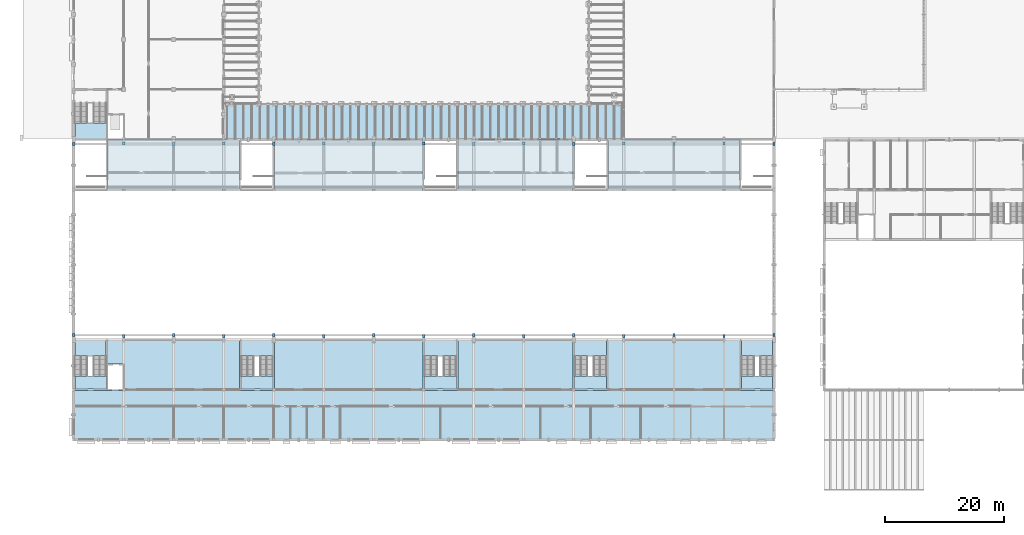
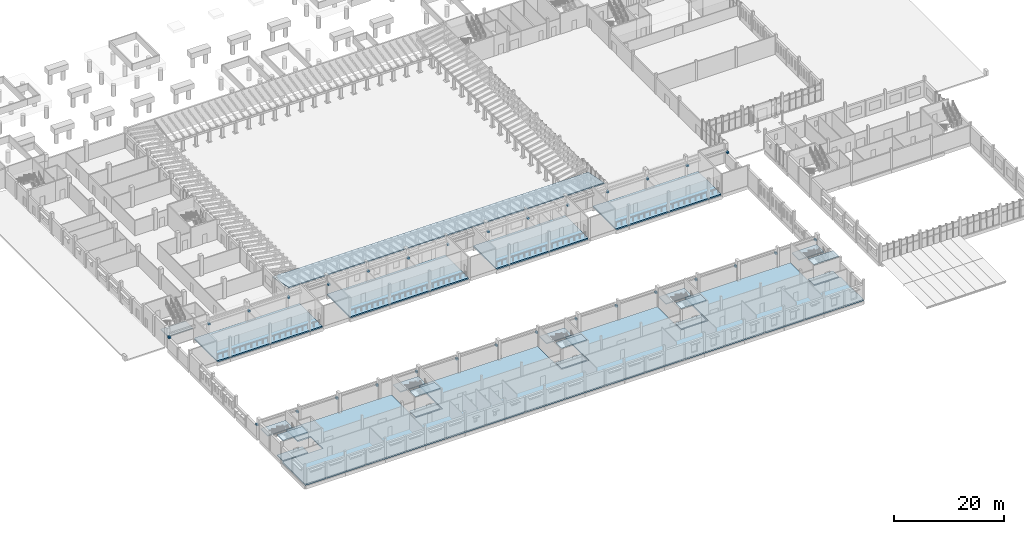
# One storey, part 26 of 60: 30 beams, 22 slabs, 6 elements without a shape of their own.
"""IFC4 building model written with IfcOpenShell, lengths in metres."""

from ifc_helpers import new_model, si_unit, direction, frame, origin, origin_2d, place, context, subcontext, project, spatial, polyline, rectangle, outline, extrude, material, layer, layer_set, material_profile, profile_set, type_object, element, aggregate, save


model = new_model("IFC4")

# Units and contexts
model_context = context("Model", 3, precision=1e-05, world=origin(), true_north=direction((0.0, 1.0)))
body_context = subcontext(model_context, "Body", "Model", "MODEL_VIEW")
ifc_project = project(units=[si_unit("LENGTHUNIT", "METRE"), si_unit("AREAUNIT", "SQUARE_METRE"), si_unit("VOLUMEUNIT", "CUBIC_METRE"), si_unit("PLANEANGLEUNIT", "RADIAN"), si_unit("MASSUNIT", "GRAM", prefix="KILO")], contexts=[model_context])

# Site, building, storey
site_placement = place(None, origin())
site = spatial("IfcSite", under=ifc_project, at=site_placement, CompositionType="ELEMENT")
building_placement = place(site_placement, origin())
building = spatial("IfcBuilding", under=site, at=building_placement, Name="Fescue Hill Polytechnic", CompositionType="ELEMENT")
storey_placement = place(building_placement, frame((0.0, 0.0, 4.5)))
storey = spatial("IfcBuildingStorey", under=building, at=storey_placement, Name="L01", CompositionType="ELEMENT", Elevation=4.5)

# Beams
ifc_material_1 = material(Name="Concrete 40 MPa", Category="concrete")
ifc_material_profile = material_profile(ifc_material_1, rectangle(XDim=0.39990234375, YDim=0.39990234375, at=origin_2d()), Name="Crane girder corbel 400x400")
ifc_profile_set = profile_set([ifc_material_profile], Name="Concrete 40 MPa")
beam_type = type_object("IfcBeamType", Name="Crane girder corbel 400x400", PredefinedType="USERDEFINED", material=ifc_profile_set)
for number, where, z_axis, x_axis, name in (
    (1, (0.0, 17.300048828125, 2.68896484375), (0.0, 1.0, 0.0), (-1.0, 0.0, 0.0), "Crane girder corbel S1"),
    (2, (8.39990234375, 17.199951171875, 2.68896484375), (0.0, 1.0, 0.0), (-1.0, 0.0, 0.0), "Crane girder corbel S2"),
    (3, (16.800048828125, 17.300048828125, 2.68896484375), (0.0, 1.0, 0.0), (-1.0, 0.0, 0.0), "Crane girder corbel S3"),
    (4, (25.199951171875, 17.199951171875, 2.68896484375), (0.0, 1.0, 0.0), (-1.0, 0.0, 0.0), "Crane girder corbel S4"),
    (5, (33.60009765625, 17.300048828125, 2.68896484375), (0.0, 1.0, 0.0), (-1.0, 0.0, 0.0), "Crane girder corbel S5"),
    (6, (42.0, 17.199951171875, 2.68896484375), (0.0, 1.0, 0.0), (-1.0, 0.0, 0.0), "Crane girder corbel S6"),
    (7, (50.39990234375, 17.300048828125, 2.68896484375), (0.0, 1.0, 0.0), (-1.0, 0.0, 0.0), "Crane girder corbel S7"),
    (8, (58.800048828125, 17.199951171875, 2.68896484375), (0.0, 1.0, 0.0), (-1.0, 0.0, 0.0), "Crane girder corbel S8"),
    (9, (67.199951171875, 17.300048828125, 2.68896484375), (0.0, 1.0, 0.0), (-1.0, 0.0, 0.0), "Crane girder corbel S9"),
    (10, (75.60009765625, 17.199951171875, 2.68896484375), (0.0, 1.0, 0.0), (-1.0, 0.0, 0.0), "Crane girder corbel S10"),
    (11, (84.0, 17.300048828125, 2.68896484375), (0.0, 1.0, 0.0), (-1.0, 0.0, 0.0), "Crane girder corbel S11"),
    (12, (92.39990234375, 17.199951171875, 2.68896484375), (0.0, 1.0, 0.0), (-1.0, 0.0, 0.0), "Crane girder corbel S12"),
    (13, (100.800048828125, 17.300048828125, 2.68896484375), (0.0, 1.0, 0.0), (-1.0, 0.0, 0.0), "Crane girder corbel S13"),
    (14, (109.199951171875, 17.199951171875, 2.68896484375), (0.0, 1.0, 0.0), (-1.0, 0.0, 0.0), "Crane girder corbel S14"),
    (15, (117.60009765625, 17.300048828125, 2.68896484375), (0.0, 1.0, 0.0), (-1.0, 0.0, 0.0), "Crane girder corbel S15"),
    (16, (0.0, 49.89990234375, 2.68896484375), (0.0, -1.0, 0.0), (1.0, 0.0, 0.0), "Crane girder corbel N1"),
    (17, (8.39990234375, 50.0, 2.68896484375), (0.0, -1.0, 0.0), (1.0, 0.0, 0.0), "Crane girder corbel N2"),
    (18, (16.800048828125, 49.89990234375, 2.68896484375), (0.0, -1.0, 0.0), (1.0, 0.0, 0.0), "Crane girder corbel N3"),
    (19, (25.199951171875, 50.0, 2.68896484375), (0.0, -1.0, 0.0), (1.0, 0.0, 0.0), "Crane girder corbel N4"),
    (20, (33.60009765625, 49.89990234375, 2.68896484375), (0.0, -1.0, 0.0), (1.0, 0.0, 0.0), "Crane girder corbel N5"),
    (21, (42.0, 50.0, 2.68896484375), (0.0, -1.0, 0.0), (1.0, 0.0, 0.0), "Crane girder corbel N6"),
    (22, (50.39990234375, 49.89990234375, 2.68896484375), (0.0, -1.0, 0.0), (1.0, 0.0, 0.0), "Crane girder corbel N7"),
    (23, (58.800048828125, 50.0, 2.68896484375), (0.0, -1.0, 0.0), (1.0, 0.0, 0.0), "Crane girder corbel N8"),
    (24, (67.199951171875, 49.89990234375, 2.68896484375), (0.0, -1.0, 0.0), (1.0, 0.0, 0.0), "Crane girder corbel N9"),
    (25, (75.60009765625, 50.0, 2.68896484375), (0.0, -1.0, 0.0), (1.0, 0.0, 0.0), "Crane girder corbel N10"),
    (26, (84.0, 49.89990234375, 2.68896484375), (0.0, -1.0, 0.0), (1.0, 0.0, 0.0), "Crane girder corbel N11"),
    (27, (92.39990234375, 50.0, 2.68896484375), (0.0, -1.0, 0.0), (1.0, 0.0, 0.0), "Crane girder corbel N12"),
    (28, (100.800048828125, 49.89990234375, 2.68896484375), (0.0, -1.0, 0.0), (1.0, 0.0, 0.0), "Crane girder corbel N13"),
    (29, (109.199951171875, 50.0, 2.68896484375), (0.0, -1.0, 0.0), (1.0, 0.0, 0.0), "Crane girder corbel N14"),
    (30, (117.60009765625, 49.89990234375, 2.68896484375), (0.0, -1.0, 0.0), (1.0, 0.0, 0.0), "Crane girder corbel N15"),
):
    element("IfcBeam", number, at=place(storey_placement, frame(where, z_axis=z_axis, x_axis=x_axis)), inside=storey, type_object=beam_type, Name=name, ObjectType="Corbel", PredefinedType="USERDEFINED", context=body_context, shape_type="SweptSolid", body=[
        extrude(rectangle(XDim=0.39990234375, YDim=0.39990234375, at=origin_2d()), origin(), (0.0, 0.0, 1.0), 0.5),
    ])

# Slabs
ifc_material_2 = material(Name="Concrete 35 MPa", Category="concrete")
ifc_layer_1 = layer(ifc_material_2, 0.300048828125)
ifc_layer_set_1 = layer_set([ifc_layer_1], Name="Concrete 35 MPa")
slab_type_1 = type_object("IfcSlabType", Name="Floor slab 300", PredefinedType="FLOOR", material=ifc_layer_set_1)
slab_1_placement = place(storey_placement, frame((0.0, 0.0, -0.300048828125)))
element("IfcSlab", 31, at=slab_1_placement, inside=storey, type_object=slab_type_1, Name="SL-L01-V1-1", PredefinedType="FLOOR", context=body_context, shape_type="SweptSolid", body=[
    extrude(outline(polyline([(27.875, 16.800048828125), (27.875, 8.27490234375), (33.72509765625, 8.27490234375), (33.72509765625, 16.800048828125), (58.675048828125, 16.800048828125), (58.675048828125, 8.27490234375), (64.52490234375, 8.27490234375), (64.52490234375, 16.800048828125), (83.875, 16.800048828125), (83.875, 8.27490234375), (89.72509765625, 8.27490234375), (89.72509765625, 16.800048828125), (111.875, 16.800048828125), (111.875, 8.27490234375), (117.60009765625, 8.27490234375), (117.60009765625, 0.0), (0.0, 0.0), (0.0, 8.27490234375), (5.72509765625, 8.27490234375), (5.72509765625, 8.300048828125), (8.5, 8.300048828125), (8.5, 12.699951171875), (5.72509765625, 12.699951171875), (5.72509765625, 16.800048828125), (27.875, 16.800048828125)])), origin(), (0.0, 0.0, 1.0), 0.300048828125),
])
slab_2_placement = place(storey_placement, frame((0.0, 0.0, -0.300048828125)))
element("IfcSlab", 32, at=slab_2_placement, inside=storey, type_object=slab_type_1, Name="SL-L01-V1-2", PredefinedType="FLOOR", context=body_context, shape_type="SweptSolid", body=[
    extrude(outline(polyline([(58.675048828125, 50.39990234375), (58.675048828125, 42.0), (33.72509765625, 42.0), (33.72509765625, 50.39990234375), (58.675048828125, 50.39990234375)])), origin(), (0.0, 0.0, 1.0), 0.300048828125),
])
slab_3_placement = place(storey_placement, frame((0.0, 0.0, -0.300048828125)))
element("IfcSlab", 33, at=slab_3_placement, inside=storey, type_object=slab_type_1, Name="SL-L01-V1-3", PredefinedType="FLOOR", context=body_context, shape_type="SweptSolid", body=[
    extrude(outline(polyline([(27.875, 50.39990234375), (27.875, 42.0), (5.72509765625, 42.0), (5.72509765625, 50.39990234375), (27.875, 50.39990234375)])), origin(), (0.0, 0.0, 1.0), 0.300048828125),
])
slab_4_placement = place(storey_placement, frame((0.0, 0.0, -0.300048828125)))
element("IfcSlab", 34, at=slab_4_placement, inside=storey, type_object=slab_type_1, Name="SL-L01-V1-4", PredefinedType="FLOOR", context=body_context, shape_type="SweptSolid", body=[
    extrude(outline(polyline([(111.875, 50.39990234375), (111.875, 42.0), (89.72509765625, 42.0), (89.72509765625, 50.39990234375), (111.875, 50.39990234375)])), origin(), (0.0, 0.0, 1.0), 0.300048828125),
])
slab_5_placement = place(storey_placement, frame((0.0, 0.0, -0.300048828125)))
element("IfcSlab", 35, at=slab_5_placement, inside=storey, type_object=slab_type_1, Name="SL-L01-V1-5", PredefinedType="FLOOR", context=body_context, shape_type="SweptSolid", body=[
    extrude(outline(polyline([(83.875, 50.39990234375), (83.875, 42.0), (64.52490234375, 42.0), (64.52490234375, 50.39990234375), (83.875, 50.39990234375)])), origin(), (0.0, 0.0, 1.0), 0.300048828125),
])

# Stair, slabs
stair_type = type_object("IfcStairType", Name="Half-turn stair 2150 flights", PredefinedType="HALF_TURN_STAIR", material=ifc_material_2)
stair_1_placement = place(storey_placement, origin())
stair_1 = element("IfcStair", 36, at=stair_1_placement, inside=storey, type_object=stair_type, Name="L01 ST-V1-1 stair", PredefinedType="HALF_TURN_STAIR")
ifc_layer_2 = layer(ifc_material_2, 0.199951171875)
ifc_layer_set_2 = layer_set([ifc_layer_2], Name="Concrete 35 MPa")
slab_type_2 = type_object("IfcSlabType", Name="Stair landing slab 200", PredefinedType="LANDING", material=ifc_layer_set_2)
slab_6_placement = place(storey_placement, frame((0.0, 0.0, 2.050048828125)))
slab_6 = element("IfcSlab", 37, at=slab_6_placement, type_object=slab_type_2, Name="S01 landing 1", PredefinedType="LANDING", context=body_context, shape_type="SweptSolid", body=[
    extrude(outline(polyline([(0.239990234375, 14.034912109375), (5.47509765625, 14.034912109375), (5.47509765625, 16.64990234375), (0.239990234375, 16.64990234375), (0.239990234375, 14.034912109375)])), origin(), (0.0, 0.0, 1.0), 0.199951171875),
])
slab_7_placement = place(storey_placement, frame((0.0, 0.0, -0.199951171875)))
slab_7 = element("IfcSlab", 38, at=slab_7_placement, type_object=slab_type_2, Name="S01 landing 2", PredefinedType="LANDING", context=body_context, shape_type="SweptSolid", body=[
    extrude(outline(polyline([(0.239990234375, 8.52490234375), (5.5, 8.52490234375), (5.5, 10.675048828125), (0.239990234375, 10.675048828125), (0.239990234375, 8.52490234375)])), origin(), (0.0, 0.0, 1.0), 0.199951171875),
])
slab_8_placement = place(storey_placement, frame((0.0, 0.0, 4.300048828125)))
slab_8 = element("IfcSlab", 39, at=slab_8_placement, type_object=slab_type_2, Name="S01 landing 3", PredefinedType="LANDING", context=body_context, shape_type="SweptSolid", body=[
    extrude(outline(polyline([(0.239990234375, 8.52490234375), (5.5, 8.52490234375), (5.5, 10.675048828125), (0.239990234375, 10.675048828125), (0.239990234375, 8.52490234375)])), origin(), (0.0, 0.0, 1.0), 0.199951171875),
])
aggregate(stair_1, [slab_6, slab_7, slab_8])

stair_2_placement = place(storey_placement, origin())
stair_2 = element("IfcStair", 40, at=stair_2_placement, inside=storey, type_object=stair_type, Name="L01 ST-V1-2 stair", PredefinedType="HALF_TURN_STAIR")
slab_9_placement = place(storey_placement, frame((0.0, 0.0, 2.050048828125)))
slab_9 = element("IfcSlab", 41, at=slab_9_placement, type_object=slab_type_2, Name="S02 landing 1", PredefinedType="LANDING", context=body_context, shape_type="SweptSolid", body=[
    extrude(outline(polyline([(28.125, 14.034912109375), (33.47509765625, 14.034912109375), (33.47509765625, 16.64990234375), (28.125, 16.64990234375), (28.125, 14.034912109375)])), origin(), (0.0, 0.0, 1.0), 0.199951171875),
])
slab_10_placement = place(storey_placement, frame((0.0, 0.0, -0.199951171875)))
slab_10 = element("IfcSlab", 42, at=slab_10_placement, type_object=slab_type_2, Name="S02 landing 2", PredefinedType="LANDING", context=body_context, shape_type="SweptSolid", body=[
    extrude(outline(polyline([(28.125, 8.52490234375), (33.47509765625, 8.52490234375), (33.47509765625, 10.675048828125), (28.125, 10.675048828125), (28.125, 8.52490234375)])), origin(), (0.0, 0.0, 1.0), 0.199951171875),
])
slab_11_placement = place(storey_placement, frame((0.0, 0.0, 4.300048828125)))
slab_11 = element("IfcSlab", 43, at=slab_11_placement, type_object=slab_type_2, Name="S02 landing 3", PredefinedType="LANDING", context=body_context, shape_type="SweptSolid", body=[
    extrude(outline(polyline([(28.125, 8.52490234375), (33.47509765625, 8.52490234375), (33.47509765625, 10.675048828125), (28.125, 10.675048828125), (28.125, 8.52490234375)])), origin(), (0.0, 0.0, 1.0), 0.199951171875),
])
aggregate(stair_2, [slab_9, slab_10, slab_11])

stair_3_placement = place(storey_placement, origin())
stair_3 = element("IfcStair", 44, at=stair_3_placement, inside=storey, type_object=stair_type, Name="L01 ST-V1-3 stair", PredefinedType="HALF_TURN_STAIR")
slab_12_placement = place(storey_placement, frame((0.0, 0.0, 2.050048828125)))
slab_12 = element("IfcSlab", 45, at=slab_12_placement, type_object=slab_type_2, Name="S03 landing 1", PredefinedType="LANDING", context=body_context, shape_type="SweptSolid", body=[
    extrude(outline(polyline([(58.925048828125, 14.034912109375), (64.27490234375, 14.034912109375), (64.27490234375, 16.64990234375), (58.925048828125, 16.64990234375), (58.925048828125, 14.034912109375)])), origin(), (0.0, 0.0, 1.0), 0.199951171875),
])
slab_13_placement = place(storey_placement, frame((0.0, 0.0, -0.199951171875)))
slab_13 = element("IfcSlab", 46, at=slab_13_placement, type_object=slab_type_2, Name="S03 landing 2", PredefinedType="LANDING", context=body_context, shape_type="SweptSolid", body=[
    extrude(outline(polyline([(58.925048828125, 8.52490234375), (64.27490234375, 8.52490234375), (64.27490234375, 10.675048828125), (58.925048828125, 10.675048828125), (58.925048828125, 8.52490234375)])), origin(), (0.0, 0.0, 1.0), 0.199951171875),
])
slab_14_placement = place(storey_placement, frame((0.0, 0.0, 4.300048828125)))
slab_14 = element("IfcSlab", 47, at=slab_14_placement, type_object=slab_type_2, Name="S03 landing 3", PredefinedType="LANDING", context=body_context, shape_type="SweptSolid", body=[
    extrude(outline(polyline([(58.925048828125, 8.52490234375), (64.27490234375, 8.52490234375), (64.27490234375, 10.675048828125), (58.925048828125, 10.675048828125), (58.925048828125, 8.52490234375)])), origin(), (0.0, 0.0, 1.0), 0.199951171875),
])
aggregate(stair_3, [slab_12, slab_13, slab_14])

stair_4_placement = place(storey_placement, origin())
stair_4 = element("IfcStair", 48, at=stair_4_placement, inside=storey, type_object=stair_type, Name="L01 ST-V1-4 stair", PredefinedType="HALF_TURN_STAIR")
slab_15_placement = place(storey_placement, frame((0.0, 0.0, 2.050048828125)))
slab_15 = element("IfcSlab", 49, at=slab_15_placement, type_object=slab_type_2, Name="S04 landing 1", PredefinedType="LANDING", context=body_context, shape_type="SweptSolid", body=[
    extrude(outline(polyline([(84.125, 14.034912109375), (89.47509765625, 14.034912109375), (89.47509765625, 16.64990234375), (84.125, 16.64990234375), (84.125, 14.034912109375)])), origin(), (0.0, 0.0, 1.0), 0.199951171875),
])
slab_16_placement = place(storey_placement, frame((0.0, 0.0, -0.199951171875)))
slab_16 = element("IfcSlab", 50, at=slab_16_placement, type_object=slab_type_2, Name="S04 landing 2", PredefinedType="LANDING", context=body_context, shape_type="SweptSolid", body=[
    extrude(outline(polyline([(84.125, 8.52490234375), (89.47509765625, 8.52490234375), (89.47509765625, 10.675048828125), (84.125, 10.675048828125), (84.125, 8.52490234375)])), origin(), (0.0, 0.0, 1.0), 0.199951171875),
])
slab_17_placement = place(storey_placement, frame((0.0, 0.0, 4.300048828125)))
slab_17 = element("IfcSlab", 51, at=slab_17_placement, type_object=slab_type_2, Name="S04 landing 3", PredefinedType="LANDING", context=body_context, shape_type="SweptSolid", body=[
    extrude(outline(polyline([(84.125, 8.52490234375), (89.47509765625, 8.52490234375), (89.47509765625, 10.675048828125), (84.125, 10.675048828125), (84.125, 8.52490234375)])), origin(), (0.0, 0.0, 1.0), 0.199951171875),
])
aggregate(stair_4, [slab_15, slab_16, slab_17])

stair_5_placement = place(storey_placement, origin())
stair_5 = element("IfcStair", 52, at=stair_5_placement, inside=storey, type_object=stair_type, Name="L01 ST-V1-10 stair", PredefinedType="HALF_TURN_STAIR")
slab_18_placement = place(storey_placement, frame((0.0, 0.0, 2.050048828125)))
slab_18 = element("IfcSlab", 53, at=slab_18_placement, type_object=slab_type_2, Name="S05 landing 1", PredefinedType="LANDING", context=body_context, shape_type="SweptSolid", body=[
    extrude(outline(polyline([(112.125, 14.034912109375), (117.360107421875, 14.034912109375), (117.360107421875, 16.64990234375), (112.125, 16.64990234375), (112.125, 14.034912109375)])), origin(), (0.0, 0.0, 1.0), 0.199951171875),
])
slab_19_placement = place(storey_placement, frame((0.0, 0.0, -0.199951171875)))
slab_19 = element("IfcSlab", 54, at=slab_19_placement, type_object=slab_type_2, Name="S05 landing 2", PredefinedType="LANDING", context=body_context, shape_type="SweptSolid", body=[
    extrude(outline(polyline([(112.125, 8.52490234375), (117.360107421875, 8.52490234375), (117.360107421875, 10.675048828125), (112.125, 10.675048828125), (112.125, 8.52490234375)])), origin(), (0.0, 0.0, 1.0), 0.199951171875),
])
slab_20_placement = place(storey_placement, frame((0.0, 0.0, 4.300048828125)))
slab_20 = element("IfcSlab", 55, at=slab_20_placement, type_object=slab_type_2, Name="S05 landing 3", PredefinedType="LANDING", context=body_context, shape_type="SweptSolid", body=[
    extrude(outline(polyline([(112.125, 8.52490234375), (117.360107421875, 8.52490234375), (117.360107421875, 10.675048828125), (112.125, 10.675048828125), (112.125, 8.52490234375)])), origin(), (0.0, 0.0, 1.0), 0.199951171875),
])
aggregate(stair_5, [slab_18, slab_19, slab_20])

# Stair, slab
stair_6_placement = place(storey_placement, origin())
stair_6 = element("IfcStair", 56, at=stair_6_placement, inside=storey, type_object=stair_type, Name="L01 ST-V4-1 stair", PredefinedType="HALF_TURN_STAIR")
slab_21_placement = place(storey_placement, frame((0.0, 0.0, 2.050048828125)))
slab_21 = element("IfcSlab", 57, at=slab_21_placement, type_object=slab_type_2, Name="S15 landing 1", PredefinedType="LANDING", context=body_context, shape_type="SweptSolid", body=[
    extrude(outline(polyline([(0.22509765625, 50.52490234375), (5.5, 50.52490234375), (5.5, 53.1650390625), (0.22509765625, 53.1650390625), (0.22509765625, 50.52490234375)])), origin(), (0.0, 0.0, 1.0), 0.199951171875),
])
aggregate(stair_6, [slab_21])

# Slab
ifc_material_3 = material(Name="Timber deck with membrane roofing", Category="wood")
ifc_layer_3 = layer(ifc_material_3, 0.199951171875)
ifc_layer_set_3 = layer_set([ifc_layer_3], Name="Timber deck with membrane roofing")
slab_type_3 = type_object("IfcSlabType", Name="Veranda roof deck 200", PredefinedType="ROOF", material=ifc_layer_set_3)
slab_22_placement = place(storey_placement, frame((25.699951171875, 50.574951171875, 4.199951171875), z_axis=(0.0, 0.193672088606, 0.981066318908), x_axis=(1.0, 0.0, 0.0)))
element("IfcSlab", 58, at=slab_22_placement, inside=storey, type_object=slab_type_3, Name="Hall veranda roof", PredefinedType="ROOF", context=body_context, shape_type="SweptSolid", body=[
    extrude(outline(polyline([(0.0, 0.0), (66.5, 0.0), (66.5, 5.937367392615155), (0.0, 5.937367392615155), (0.0, 0.0)])), origin(), (0.0, 0.0, -1.0), 0.199951171875),
])

save(model, "model.ifc")
